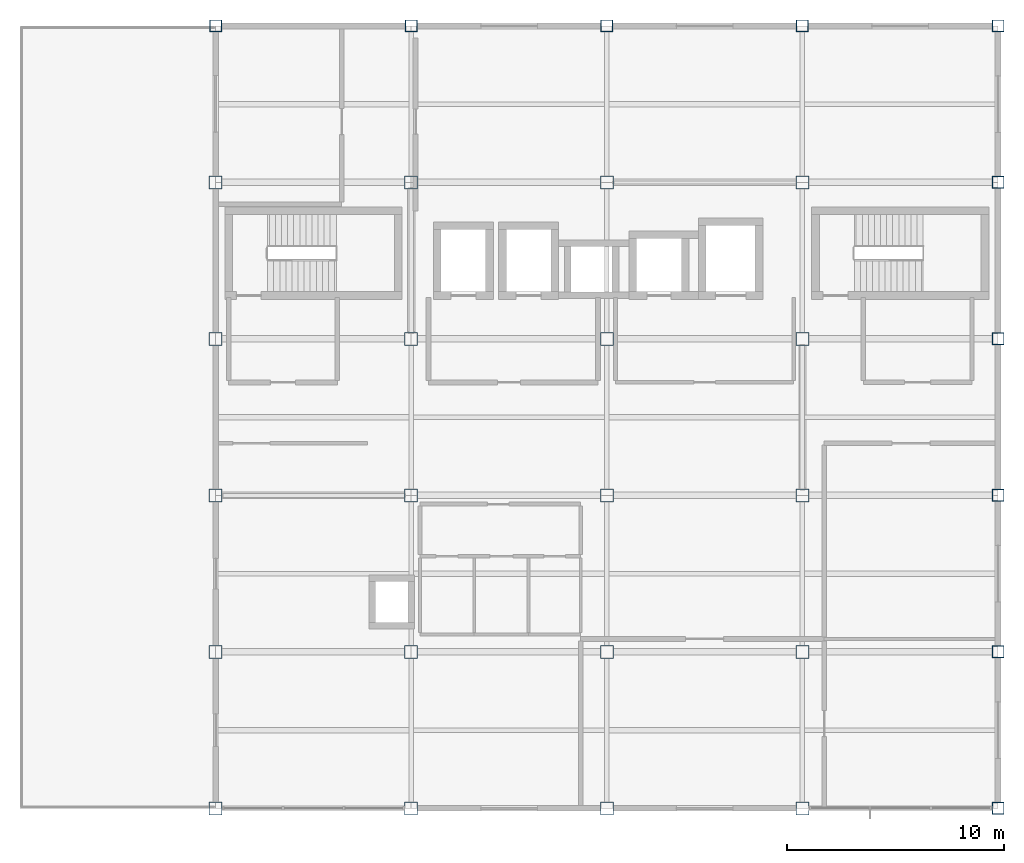
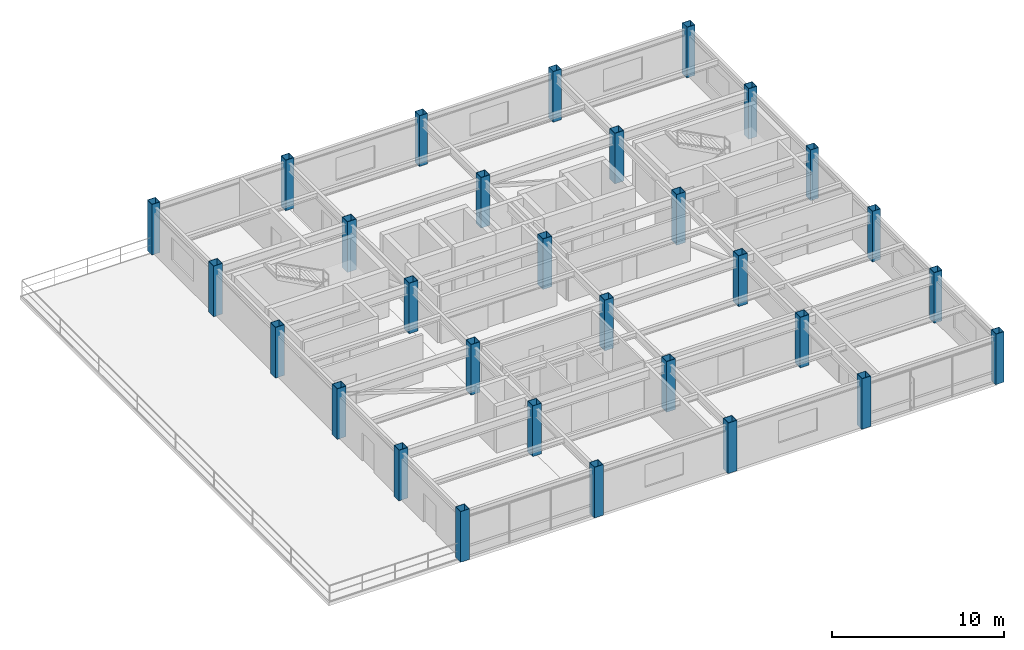
# One storey, part 1 of 11: 30 columns.
"""IFC4 building model written with IfcOpenShell, lengths in metres."""

from ifc_helpers import new_model, si_unit, direction, frame, origin, origin_2d, place, context, subcontext, project, spatial, hollow_rectangle, extrude, material, material_profile, profile_set, type_object, element, save


model = new_model("IFC4")

# Units and contexts
model_context = context("Model", 3, precision=1e-05, world=origin(), true_north=direction((0.0, 1.0)))
body_context = subcontext(model_context, "Body", "Model", "MODEL_VIEW")
ifc_project = project(units=[si_unit("LENGTHUNIT", "METRE"), si_unit("AREAUNIT", "SQUARE_METRE"), si_unit("VOLUMEUNIT", "CUBIC_METRE"), si_unit("PLANEANGLEUNIT", "RADIAN"), si_unit("MASSUNIT", "GRAM", prefix="KILO")], contexts=[model_context])

# Site, building, storey
site_placement = place(None, origin())
site = spatial("IfcSite", under=ifc_project, at=site_placement, CompositionType="ELEMENT")
building_placement = place(site_placement, origin())
building = spatial("IfcBuilding", under=site, at=building_placement, Name="Kazanami Central Library", CompositionType="ELEMENT")
storey_placement = place(building_placement, frame((0.0, 0.0, 24.199951171875)))
storey = spatial("IfcBuildingStorey", under=building, at=storey_placement, Name="L07", CompositionType="ELEMENT", Elevation=24.199951171875)

# Columns
ifc_material = material(Name="Steel BCP325 (325 MPa)", Category="steel")
ifc_material_profile_1 = material_profile(ifc_material, hollow_rectangle(XDim=0.60009765625, YDim=0.60009765625, WallThickness=0.02490234375, at=origin_2d()), Name="BCP-600x600x25")
ifc_profile_set_1 = profile_set([ifc_material_profile_1], Name="Steel BCP325 (325 MPa)")
column_type_1 = type_object("IfcColumnType", Name="COL-C-T3I", PredefinedType="COLUMN", material=ifc_profile_set_1)
for number, where, z_axis, x_axis, name in (
    (1, (126.0, 57.60009765625, 0.0), (0.0, 0.0, 1.0), (1.0, 0.0, 0.0), "Column C-T3I L07 15/J"),
    (2, (126.0, 64.800048828125, 0.0), (0.0, 0.0, 1.0), (1.0, 0.0, 0.0), "Column C-T3I L07 15/K"),
    (3, (126.0, 72.0, 0.0), (0.0, 0.0, 1.0), (1.0, 0.0, 0.0), "Column C-T3I L07 15/L"),
    (4, (126.0, 79.199951171875, 0.0), (0.0, 0.0, 1.0), (1.0, 0.0, 0.0), "Column C-T3I L07 15/M"),
    (5, (126.0, 86.39990234375, 0.0), (0.0, 0.0, 1.0), (1.0, 0.0, 0.0), "Column C-T3I L07 15/N"),
    (6, (135.0, 57.60009765625, 0.0), (0.0, 0.0, 1.0), (1.0, 0.0, 0.0), "Column C-T3I L07 16/J"),
    (7, (135.0, 64.800048828125, 0.0), (0.0, 0.0, 1.0), (1.0, 0.0, 0.0), "Column C-T3I L07 16/K"),
    (8, (135.0, 72.0, 0.0), (0.0, 0.0, 1.0), (1.0, 0.0, 0.0), "Column C-T3I L07 16/L"),
    (9, (135.0, 79.199951171875, 0.0), (0.0, 0.0, 1.0), (1.0, 0.0, 0.0), "Column C-T3I L07 16/M"),
    (10, (135.0, 86.39990234375, 0.0), (0.0, 0.0, 1.0), (1.0, 0.0, 0.0), "Column C-T3I L07 16/N"),
    (11, (144.0, 57.60009765625, 0.0), (0.0, 0.0, 1.0), (1.0, 0.0, 0.0), "Column C-T3I L07 17/J"),
    (12, (144.0, 64.800048828125, 0.0), (0.0, 0.0, 1.0), (1.0, 0.0, 0.0), "Column C-T3I L07 17/K"),
    (13, (144.0, 72.0, 0.0), (0.0, 0.0, 1.0), (1.0, 0.0, 0.0), "Column C-T3I L07 17/L"),
    (14, (144.0, 79.199951171875, 0.0), (0.0, 0.0, 1.0), (1.0, 0.0, 0.0), "Column C-T3I L07 17/M"),
    (15, (144.0, 86.39990234375, 0.0), (0.0, 0.0, 1.0), (1.0, 0.0, 0.0), "Column C-T3I L07 17/N"),
    (16, (153.0, 57.60009765625, 0.0), (0.0, 0.0, 1.0), (1.0, 0.0, 0.0), "Column C-T3I L07 18/J"),
    (17, (153.0, 64.800048828125, 0.0), (0.0, 0.0, 1.0), (1.0, 0.0, 0.0), "Column C-T3I L07 18/K"),
    (18, (153.0, 72.0, 0.0), (0.0, 0.0, 1.0), (1.0, 0.0, 0.0), "Column C-T3I L07 18/L"),
    (19, (153.0, 79.199951171875, 0.0), (0.0, 0.0, 1.0), (1.0, 0.0, 0.0), "Column C-T3I L07 18/M"),
    (20, (153.0, 86.39990234375, 0.0), (0.0, 0.0, 1.0), (1.0, 0.0, 0.0), "Column C-T3I L07 18/N"),
):
    element("IfcColumn", number, at=place(storey_placement, frame(where, z_axis=z_axis, x_axis=x_axis)), inside=storey, type_object=column_type_1, Name=name, PredefinedType="COLUMN", context=body_context, shape_type="SweptSolid", body=[
        extrude(hollow_rectangle(XDim=0.60009765625, YDim=0.60009765625, WallThickness=0.02490234375, at=origin_2d()), origin(), (0.0, 0.0, 1.0), 3.60009765625),
    ])
ifc_material_profile_2 = material_profile(ifc_material, hollow_rectangle(XDim=0.550048828125, YDim=0.550048828125, WallThickness=0.02197265625, at=origin_2d()), Name="BCP-550x550x22")
ifc_profile_set_2 = profile_set([ifc_material_profile_2], Name="Steel BCP325 (325 MPa)")
column_type_2 = type_object("IfcColumnType", Name="COL-C-T3P", PredefinedType="COLUMN", material=ifc_profile_set_2)
for number, where, z_axis, x_axis, name in (
    (21, (126.0, 93.60009765625, 0.0), (0.0, 0.0, 1.0), (1.0, 0.0, 0.0), "Column C-T3P L07 15/O"),
    (22, (135.0, 93.60009765625, 0.0), (0.0, 0.0, 1.0), (1.0, 0.0, 0.0), "Column C-T3P L07 16/O"),
    (23, (144.0, 93.60009765625, 0.0), (0.0, 0.0, 1.0), (1.0, 0.0, 0.0), "Column C-T3P L07 17/O"),
    (24, (153.0, 93.60009765625, 0.0), (0.0, 0.0, 1.0), (1.0, 0.0, 0.0), "Column C-T3P L07 18/O"),
    (25, (162.0, 57.60009765625, 0.0), (0.0, 0.0, 1.0), (1.0, 0.0, 0.0), "Column C-T3P L07 19/J"),
    (26, (162.0, 64.800048828125, 0.0), (0.0, 0.0, 1.0), (1.0, 0.0, 0.0), "Column C-T3P L07 19/K"),
    (27, (162.0, 72.0, 0.0), (0.0, 0.0, 1.0), (1.0, 0.0, 0.0), "Column C-T3P L07 19/L"),
    (28, (162.0, 79.199951171875, 0.0), (0.0, 0.0, 1.0), (1.0, 0.0, 0.0), "Column C-T3P L07 19/M"),
    (29, (162.0, 86.39990234375, 0.0), (0.0, 0.0, 1.0), (1.0, 0.0, 0.0), "Column C-T3P L07 19/N"),
    (30, (162.0, 93.60009765625, 0.0), (0.0, 0.0, 1.0), (1.0, 0.0, 0.0), "Column C-T3P L07 19/O"),
):
    element("IfcColumn", number, at=place(storey_placement, frame(where, z_axis=z_axis, x_axis=x_axis)), inside=storey, type_object=column_type_2, Name=name, PredefinedType="COLUMN", context=body_context, shape_type="SweptSolid", body=[
        extrude(hollow_rectangle(XDim=0.550048828125, YDim=0.550048828125, WallThickness=0.02197265625, at=origin_2d()), origin(), (0.0, 0.0, 1.0), 3.60009765625),
    ])

save(model, "model.ifc")
